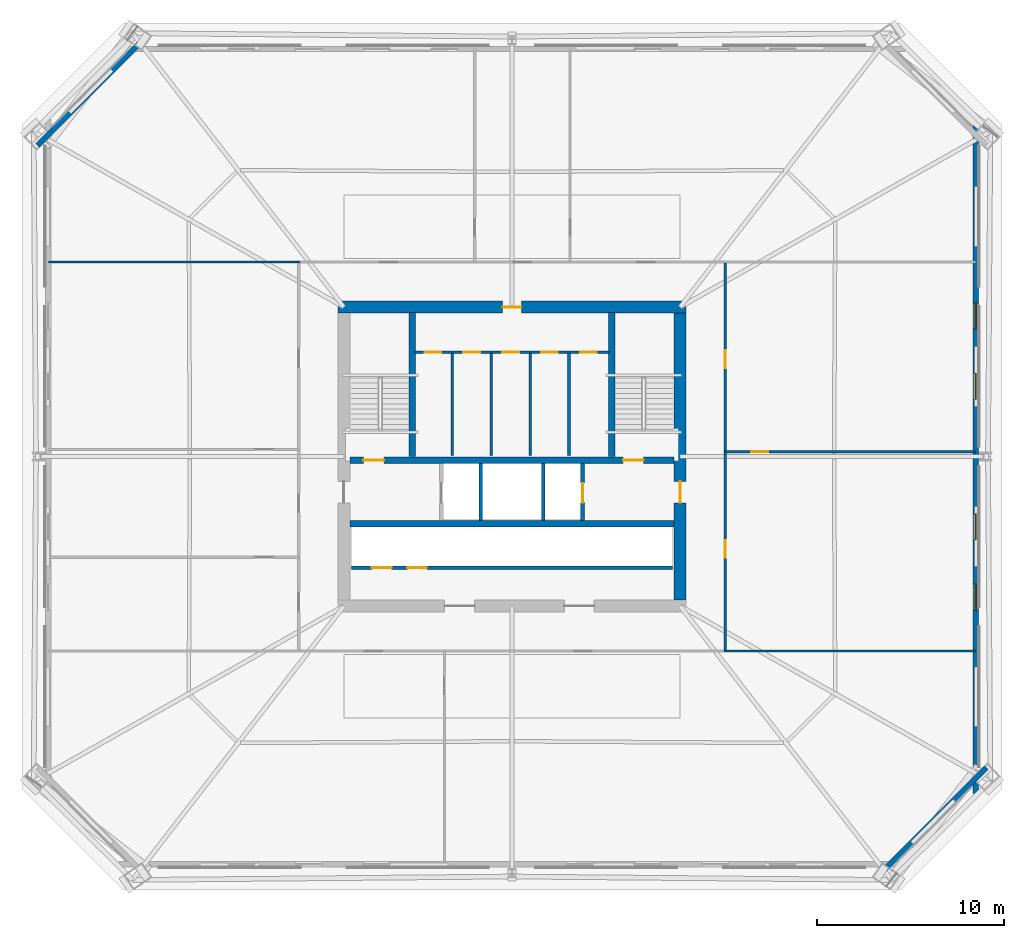
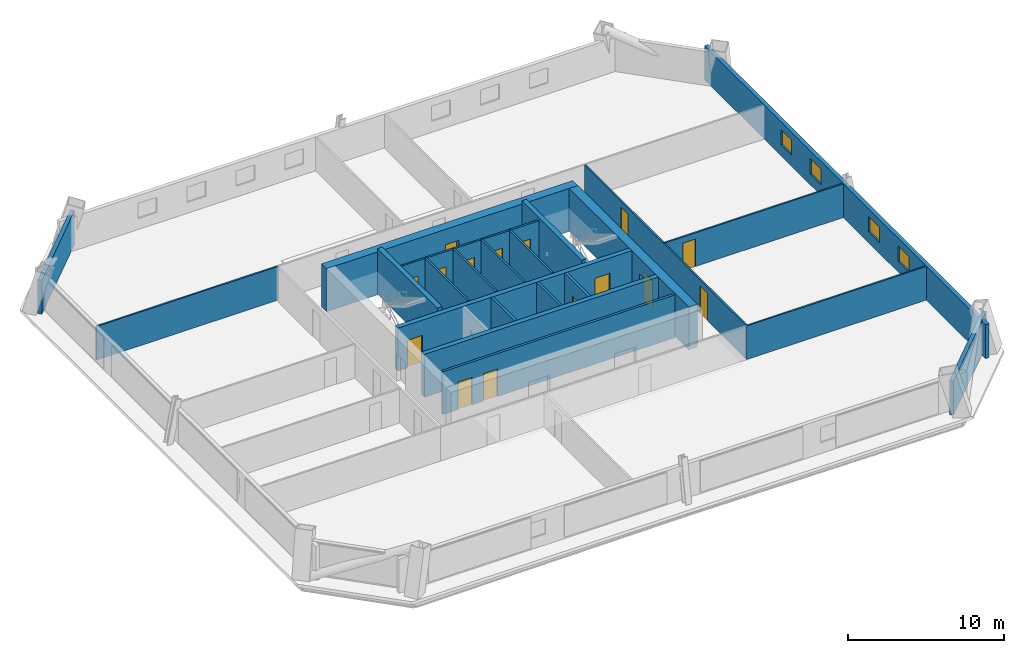
# One storey, part 6 of 10: 22 walls, 15 doors, 4 windows, 19 openings.
"""IFC4 building model written with IfcOpenShell, lengths in metres."""

from ifc_helpers import new_model, si_unit, direction, frame, frame_2d, origin, place, context, subcontext, project, spatial, rectangle, extrude, material, layer, layer_set, type_object, element, fill, save


model = new_model("IFC4")

# Units and contexts
model_context = context("Model", 3, precision=1e-05, world=origin(), true_north=direction((0.0, 1.0)))
body_context = subcontext(model_context, "Body", "Model", "MODEL_VIEW")
ifc_project = project(units=[si_unit("LENGTHUNIT", "METRE"), si_unit("AREAUNIT", "SQUARE_METRE"), si_unit("VOLUMEUNIT", "CUBIC_METRE"), si_unit("PLANEANGLEUNIT", "RADIAN"), si_unit("MASSUNIT", "GRAM", prefix="KILO")], contexts=[model_context])

# Site, building, storey
site_placement = place(None, origin())
site = spatial("IfcSite", under=ifc_project, at=site_placement, CompositionType="ELEMENT")
building_placement = place(site_placement, origin())
building = spatial("IfcBuilding", under=site, at=building_placement, Name="Caelvoria Tower", CompositionType="ELEMENT")
storey_placement = place(building_placement, frame((0.0, 0.0, 78.39990234375)))
storey = spatial("IfcBuildingStorey", under=building, at=storey_placement, Name="L20", CompositionType="ELEMENT", Elevation=78.39990234375)

# Wall, openings, doors
ifc_material_1 = material(Name="Concrete C50/60", Category="concrete")
ifc_layer_1 = layer(ifc_material_1, 0.35009765625, Name="Concrete C50/60")
ifc_layer_set_1 = layer_set([ifc_layer_1], Name="Core Internal Shear Wall 350 - Concrete C50/60")
wall_type_1 = type_object("IfcWallType", Name="Core Internal Shear Wall 350", PredefinedType="SHEAR", material=ifc_layer_set_1)
wall_1_placement = place(storey_placement, frame((37.324951171875, 31.800048828125, 0.0), z_axis=(0.0, 0.0, 1.0), x_axis=(1.0, 0.0, 0.0)))
wall_1 = element("IfcWall", 1, at=wall_1_placement, inside=storey, type_object=wall_type_1, Name="Core Shear Wall L20 M1", PredefinedType="SHEAR", context=body_context, shape_type="SweptSolid", body=[
    extrude(rectangle(XDim=17.35009765625, YDim=0.35009765625, at=frame_2d((8.675048828125, 0.0))), origin(), (0.0, 0.0, 1.0), 3.360107421875),
])
opening_1_placement = place(wall_1_placement, frame((0.72509765625, 0.0, 0.0)))
opening_1 = element("IfcOpeningElement", 2, at=opening_1_placement, cuts=wall_1, Name="Opening ID-01", PredefinedType="OPENING", context=body_context, shape_type="SweptSolid", body=[
    extrude(rectangle(XDim=1.10009765625, YDim=2.14990234375, at=frame_2d((0.550048828125, 1.074951171875))), frame((0.0, 0.18505859375, 0.0), z_axis=(0.0, -1.0, 0.0), x_axis=(1.0, 0.0, 0.0)), (0.0, 0.0, 1.0), 0.3701171875),
])
opening_2_placement = place(wall_1_placement, frame((14.625, 0.0, 0.0)))
opening_2 = element("IfcOpeningElement", 3, at=opening_2_placement, cuts=wall_1, Name="Opening ID-01", PredefinedType="OPENING", context=body_context, shape_type="SweptSolid", body=[
    extrude(rectangle(XDim=1.10009765625, YDim=2.14990234375, at=frame_2d((0.550048828125, 1.074951171875))), frame((0.0, 0.18505859375, 0.0), z_axis=(0.0, -1.0, 0.0), x_axis=(1.0, 0.0, 0.0)), (0.0, 0.0, 1.0), 0.3701171875),
])
ifc_material_2 = material(Name="Painted Hollow Steel Fire Door", Category="steel")
door_type_1 = type_object("IfcDoorType", Name="Fire Door FD90S 1100x2150", OperationType="NOTDEFINED", PredefinedType="DOOR", material=ifc_material_2)
door_1_placement = place(opening_1_placement, origin())
door_1 = element("IfcDoor", 4, at=door_1_placement, inside=storey, type_object=door_type_1, Name="Core Door DR-L20-ST1", OperationType="SINGLE_SWING_LEFT", OverallHeight=2.14990234375, OverallWidth=1.10009765625, PredefinedType="DOOR", context=body_context, shape_type="SweptSolid", body=[
    extrude(rectangle(XDim=1.10009765625, YDim=2.14990234375, at=frame_2d((0.550048828125, 1.074951171875))), frame((0.0, 0.02490234375, 0.0), z_axis=(0.0, -1.0, 0.0), x_axis=(1.0, 0.0, 0.0)), (0.0, 0.0, 1.0), 0.050048828125),
])
fill(opening_1, door_1)
door_2_placement = place(opening_2_placement, origin())
door_2 = element("IfcDoor", 5, at=door_2_placement, inside=storey, type_object=door_type_1, Name="Core Door DR-L20-ST2", OperationType="SINGLE_SWING_RIGHT", OverallHeight=2.14990234375, OverallWidth=1.10009765625, PredefinedType="DOOR", context=body_context, shape_type="SweptSolid", body=[
    extrude(rectangle(XDim=1.10009765625, YDim=2.14990234375, at=frame_2d((0.550048828125, 1.074951171875))), frame((0.0, 0.02490234375, 0.0), z_axis=(0.0, -1.0, 0.0), x_axis=(1.0, 0.0, 0.0)), (0.0, 0.0, 1.0), 0.050048828125),
])
fill(opening_2, door_2)

# Walls
wall_2_placement = place(storey_placement, frame((37.324951171875, 28.39990234375, 0.0), z_axis=(0.0, 0.0, 1.0), x_axis=(1.0, 0.0, 0.0)))
element("IfcWall", 6, at=wall_2_placement, inside=storey, type_object=wall_type_1, Name="Core Shear Wall L20 M2", PredefinedType="SHEAR", context=body_context, shape_type="SweptSolid", body=[
    extrude(rectangle(XDim=17.35009765625, YDim=0.35009765625, at=frame_2d((8.675048828125, 0.0))), origin(), (0.0, 0.0, 1.0), 3.360107421875),
])
for number, where, z_axis, x_axis, name in (
    (7, (40.64990234375, 32.0, 0.0), (0.0, 0.0, 1.0), (0.0, 1.0, 0.0), "Interior Partition IW-L20-ST1E"),
    (8, (51.35009765625, 32.0, 0.0), (0.0, 0.0, 1.0), (0.0, 1.0, 0.0), "Interior Partition IW-L20-ST2W"),
):
    element("IfcWall", number, at=place(storey_placement, frame(where, z_axis=z_axis, x_axis=x_axis)), inside=storey, type_object=wall_type_1, Name=name, PredefinedType="SHEAR", context=body_context, shape_type="SweptSolid", body=[
        extrude(rectangle(XDim=7.699951171875, YDim=0.35009765625, at=frame_2d((3.85009765625, 0.0))), origin(), (0.0, 0.0, 1.0), 3.60009765625),
    ])
ifc_material_3 = material(Name="Moisture-Resistant Gypsum on Steel Stud", Category="steel")
ifc_layer_2 = layer(ifc_material_3, 0.139892578125, Name="Moisture-Resistant Gypsum on Steel Stud")
ifc_layer_set_2 = layer_set([ifc_layer_2], Name="Core Sanitary Acoustic Partition Wall 140 - Moisture-Resistant Gypsum on Steel Stud")
wall_type_2 = type_object("IfcWallType", Name="Core Sanitary Acoustic Partition Wall 140", PredefinedType="PARTITIONING", material=ifc_layer_set_2)
for number, where, z_axis, x_axis, name in (
    (9, (42.81005859375, 32.050048828125, 0.0), (0.0, 0.0, 1.0), (0.0, 1.0, 0.0), "Interior Partition IW-L20-C1V0"),
    (10, (44.889892578125, 32.050048828125, 0.0), (0.0, 0.0, 1.0), (0.0, 1.0, 0.0), "Interior Partition IW-L20-C1V1"),
    (11, (46.969970703125, 32.050048828125, 0.0), (0.0, 0.0, 1.0), (0.0, 1.0, 0.0), "Interior Partition IW-L20-C1V2"),
    (12, (49.050048828125, 32.050048828125, 0.0), (0.0, 0.0, 1.0), (0.0, 1.0, 0.0), "Interior Partition IW-L20-C1V3"),
):
    element("IfcWall", number, at=place(storey_placement, frame(where, z_axis=z_axis, x_axis=x_axis)), inside=storey, type_object=wall_type_2, Name=name, PredefinedType="PARTITIONING", context=body_context, shape_type="SweptSolid", body=[
        extrude(rectangle(XDim=5.5, YDim=0.139892578125, at=frame_2d((2.75, 0.0))), origin(), (0.0, 0.0, 1.0), 3.360107421875),
    ])

# Wall, openings, doors
wall_3_placement = place(storey_placement, frame((40.800048828125, 37.580078125, 0.0), z_axis=(0.0, 0.0, 1.0), x_axis=(1.0, 0.0, 0.0)))
wall_3 = element("IfcWall", 13, at=wall_3_placement, inside=storey, type_object=wall_type_2, Name="Interior Partition IW-L20-C1H", PredefinedType="PARTITIONING", context=body_context, shape_type="SweptSolid", body=[
    extrude(rectangle(XDim=10.39990234375, YDim=0.139892578125, at=frame_2d((5.199951171875, 0.0))), origin(), (0.0, 0.0, 1.0), 3.360107421875),
])
opening_3_placement = place(wall_3_placement, frame((0.52001953125, 0.0, 0.0)))
opening_3 = element("IfcOpeningElement", 14, at=opening_3_placement, cuts=wall_3, Name="Opening ID-06", PredefinedType="OPENING", context=body_context, shape_type="SweptSolid", body=[
    extrude(rectangle(XDim=0.89990234375, YDim=2.14990234375, at=frame_2d((0.449951171875, 1.074951171875))), frame((0.0, 0.079833984375, 0.0), z_axis=(0.0, -1.0, 0.0), x_axis=(1.0, 0.0, 0.0)), (0.0, 0.0, 1.0), 0.159912109375),
])
opening_4_placement = place(wall_3_placement, frame((2.60009765625, 0.0, 0.0)))
opening_4 = element("IfcOpeningElement", 15, at=opening_4_placement, cuts=wall_3, Name="Opening ID-06", PredefinedType="OPENING", context=body_context, shape_type="SweptSolid", body=[
    extrude(rectangle(XDim=0.89990234375, YDim=2.14990234375, at=frame_2d((0.449951171875, 1.074951171875))), frame((0.0, 0.079833984375, 0.0), z_axis=(0.0, -1.0, 0.0), x_axis=(1.0, 0.0, 0.0)), (0.0, 0.0, 1.0), 0.159912109375),
])
opening_5_placement = place(wall_3_placement, frame((4.679931640625, 0.0, 0.0)))
opening_5 = element("IfcOpeningElement", 16, at=opening_5_placement, cuts=wall_3, Name="Opening ID-07", PredefinedType="OPENING", context=body_context, shape_type="SweptSolid", body=[
    extrude(rectangle(XDim=0.919921875, YDim=2.14990234375, at=frame_2d((0.4599609375, 1.074951171875))), frame((0.0, 0.079833984375, 0.0), z_axis=(0.0, -1.0, 0.0), x_axis=(1.0, 0.0, 0.0)), (0.0, 0.0, 1.0), 0.159912109375),
])
opening_6_placement = place(wall_3_placement, frame((6.760009765625, 0.0, 0.0)))
opening_6 = element("IfcOpeningElement", 17, at=opening_6_placement, cuts=wall_3, Name="Opening ID-06", PredefinedType="OPENING", context=body_context, shape_type="SweptSolid", body=[
    extrude(rectangle(XDim=0.89990234375, YDim=2.14990234375, at=frame_2d((0.449951171875, 1.074951171875))), frame((0.0, 0.079833984375, 0.0), z_axis=(0.0, -1.0, 0.0), x_axis=(1.0, 0.0, 0.0)), (0.0, 0.0, 1.0), 0.159912109375),
])
opening_7_placement = place(wall_3_placement, frame((8.840087890625, 0.0, 0.0)))
opening_7 = element("IfcOpeningElement", 18, at=opening_7_placement, cuts=wall_3, Name="Opening ID-06", PredefinedType="OPENING", context=body_context, shape_type="SweptSolid", body=[
    extrude(rectangle(XDim=0.89990234375, YDim=2.14990234375, at=frame_2d((0.449951171875, 1.074951171875))), frame((0.0, 0.079833984375, 0.0), z_axis=(0.0, -1.0, 0.0), x_axis=(1.0, 0.0, 0.0)), (0.0, 0.0, 1.0), 0.159912109375),
])
ifc_material_4 = material(Name="Engineered Andean Oak Accessible Door", Category="wood")
door_type_2 = type_object("IfcDoorType", Name="Accessible WC Door 950x2150", OperationType="NOTDEFINED", PredefinedType="DOOR", material=ifc_material_4)
door_3_placement = place(opening_5_placement, origin())
door_3 = element("IfcDoor", 19, at=door_3_placement, inside=storey, type_object=door_type_2, Name="Interior Door DR-L20-C1-3", OperationType="SINGLE_SWING_LEFT", OverallHeight=2.14990234375, OverallWidth=0.919921875, PredefinedType="DOOR", context=body_context, shape_type="SweptSolid", body=[
    extrude(rectangle(XDim=0.919921875, YDim=2.14990234375, at=frame_2d((0.4599609375, 1.074951171875))), frame((0.0, 0.02490234375, 0.0), z_axis=(0.0, -1.0, 0.0), x_axis=(1.0, 0.0, 0.0)), (0.0, 0.0, 1.0), 0.050048828125),
])
fill(opening_5, door_3)
ifc_material_5 = material(Name="Engineered Andean Oak Veneer Door", Category="wood")
door_type_3 = type_object("IfcDoorType", Name="Interior Timber Door 900x2150", OperationType="NOTDEFINED", PredefinedType="DOOR", material=ifc_material_5)
door_4_placement = place(opening_3_placement, origin())
door_4 = element("IfcDoor", 20, at=door_4_placement, inside=storey, type_object=door_type_3, Name="Interior Door DR-L20-C1-1", OperationType="SINGLE_SWING_LEFT", OverallHeight=2.14990234375, OverallWidth=0.89990234375, PredefinedType="DOOR", context=body_context, shape_type="SweptSolid", body=[
    extrude(rectangle(XDim=0.89990234375, YDim=2.14990234375, at=frame_2d((0.449951171875, 1.074951171875))), frame((0.0, 0.02490234375, 0.0), z_axis=(0.0, -1.0, 0.0), x_axis=(1.0, 0.0, 0.0)), (0.0, 0.0, 1.0), 0.050048828125),
])
fill(opening_3, door_4)
door_5_placement = place(opening_4_placement, origin())
door_5 = element("IfcDoor", 21, at=door_5_placement, inside=storey, type_object=door_type_3, Name="Interior Door DR-L20-C1-2", OperationType="SINGLE_SWING_RIGHT", OverallHeight=2.14990234375, OverallWidth=0.89990234375, PredefinedType="DOOR", context=body_context, shape_type="SweptSolid", body=[
    extrude(rectangle(XDim=0.89990234375, YDim=2.14990234375, at=frame_2d((0.449951171875, 1.074951171875))), frame((0.0, 0.02490234375, 0.0), z_axis=(0.0, -1.0, 0.0), x_axis=(1.0, 0.0, 0.0)), (0.0, 0.0, 1.0), 0.050048828125),
])
fill(opening_4, door_5)
door_6_placement = place(opening_6_placement, origin())
door_6 = element("IfcDoor", 22, at=door_6_placement, inside=storey, type_object=door_type_3, Name="Interior Door DR-L20-C1-4", OperationType="SINGLE_SWING_RIGHT", OverallHeight=2.14990234375, OverallWidth=0.89990234375, PredefinedType="DOOR", context=body_context, shape_type="SweptSolid", body=[
    extrude(rectangle(XDim=0.89990234375, YDim=2.14990234375, at=frame_2d((0.449951171875, 1.074951171875))), frame((0.0, 0.02490234375, 0.0), z_axis=(0.0, -1.0, 0.0), x_axis=(1.0, 0.0, 0.0)), (0.0, 0.0, 1.0), 0.050048828125),
])
fill(opening_6, door_6)
door_7_placement = place(opening_7_placement, origin())
door_7 = element("IfcDoor", 23, at=door_7_placement, inside=storey, type_object=door_type_3, Name="Interior Door DR-L20-C1-5", OperationType="SINGLE_SWING_LEFT", OverallHeight=2.14990234375, OverallWidth=0.89990234375, PredefinedType="DOOR", context=body_context, shape_type="SweptSolid", body=[
    extrude(rectangle(XDim=0.89990234375, YDim=2.14990234375, at=frame_2d((0.449951171875, 1.074951171875))), frame((0.0, 0.02490234375, 0.0), z_axis=(0.0, -1.0, 0.0), x_axis=(1.0, 0.0, 0.0)), (0.0, 0.0, 1.0), 0.050048828125),
])
fill(opening_7, door_7)

# Wall
ifc_material_6 = material(Name="Precast Concrete C40/50 with Bronze Cladding", Category="concrete")
ifc_layer_3 = layer(ifc_material_6, 0.280029296875, Name="Precast Concrete C40/50 with Bronze Cladding")
ifc_layer_set_3 = layer_set([ifc_layer_3], Name="Exterior Precast Concrete C40/50 Bronze-Clad Facade Wall 280 - Precast Concrete C40/50 with Bronze Cladding")
wall_type_3 = type_object("IfcWallType", Name="Exterior Precast Concrete C40/50 Bronze-Clad Facade Wall 280", PredefinedType="STANDARD", material=ifc_layer_set_3)
wall_4_placement = place(storey_placement, frame((65.654541015625, 9.606201171875, 0.0), z_axis=(0.0, 0.0, 1.0), x_axis=(0.707106781187, 0.707106781187, 0.0)))
element("IfcWall", 24, at=wall_4_placement, inside=storey, type_object=wall_type_3, Name="Exterior Facade Wall L20-E1", PredefinedType="STANDARD", context=body_context, shape_type="SweptSolid", body=[
    extrude(rectangle(XDim=8.116455078125, YDim=0.280029296875, at=frame_2d((4.05810546875, 0.0))), origin(), (0.0, 0.0, 1.0), 2.662109375),
])

# Wall, openings, windows
wall_5_placement = place(storey_placement, frame((70.820068359375, 13.9599609375, 0.0), z_axis=(0.0, 0.0, 1.0), x_axis=(0.0, 1.0, 0.0)))
wall_5 = element("IfcWall", 25, at=wall_5_placement, inside=storey, type_object=wall_type_3, Name="Exterior Facade Wall L20-E2", PredefinedType="STANDARD", context=body_context, shape_type="SweptSolid", body=[
    extrude(rectangle(XDim=36.080078125, YDim=0.280029296875, at=frame_2d((18.0400390625, 0.0))), origin(), (0.0, 0.0, 1.0), 2.662109375),
])
opening_8_placement = place(wall_5_placement, frame((9.81103515625, 0.0, 0.85009765625)))
opening_8 = element("IfcOpeningElement", 26, at=opening_8_placement, cuts=wall_5, Name="Opening WN-06", PredefinedType="OPENING", context=body_context, shape_type="SweptSolid", body=[
    extrude(rectangle(XDim=1.39990234375, YDim=1.199951171875, at=frame_2d((0.699951171875, 0.60009765625))), frame((0.0, 0.14990234375, 0.0), z_axis=(0.0, -1.0, 0.0), x_axis=(1.0, 0.0, 0.0)), (0.0, 0.0, 1.0), 0.300048828125),
])
opening_9_placement = place(wall_5_placement, frame((13.57568359375, 0.0, 0.85009765625)))
opening_9 = element("IfcOpeningElement", 27, at=opening_9_placement, cuts=wall_5, Name="Opening WN-06", PredefinedType="OPENING", context=body_context, shape_type="SweptSolid", body=[
    extrude(rectangle(XDim=1.39990234375, YDim=1.199951171875, at=frame_2d((0.699951171875, 0.60009765625))), frame((0.0, 0.14990234375, 0.0), z_axis=(0.0, -1.0, 0.0), x_axis=(1.0, 0.0, 0.0)), (0.0, 0.0, 1.0), 0.300048828125),
])
opening_10_placement = place(wall_5_placement, frame((21.1044921875, 0.0, 0.85009765625)))
opening_10 = element("IfcOpeningElement", 28, at=opening_10_placement, cuts=wall_5, Name="Opening WN-06", PredefinedType="OPENING", context=body_context, shape_type="SweptSolid", body=[
    extrude(rectangle(XDim=1.39990234375, YDim=1.199951171875, at=frame_2d((0.699951171875, 0.60009765625))), frame((0.0, 0.14990234375, 0.0), z_axis=(0.0, -1.0, 0.0), x_axis=(1.0, 0.0, 0.0)), (0.0, 0.0, 1.0), 0.300048828125),
])
opening_11_placement = place(wall_5_placement, frame((24.868896484375, 0.0, 0.85009765625)))
opening_11 = element("IfcOpeningElement", 29, at=opening_11_placement, cuts=wall_5, Name="Opening WN-06", PredefinedType="OPENING", context=body_context, shape_type="SweptSolid", body=[
    extrude(rectangle(XDim=1.39990234375, YDim=1.199951171875, at=frame_2d((0.699951171875, 0.60009765625))), frame((0.0, 0.14990234375, 0.0), z_axis=(0.0, -1.0, 0.0), x_axis=(1.0, 0.0, 0.0)), (0.0, 0.0, 1.0), 0.300048828125),
])
ifc_material_7 = material(Name="Low-E Tinted Glass in Bronze Aluminium Frame", Category="aluminium")
window_type = type_object("IfcWindowType", Name="Podium Clerestory Window 1400x1200", PartitioningType="SINGLE_PANEL", PredefinedType="WINDOW", material=ifc_material_7)
window_1_placement = place(opening_8_placement, origin())
window_1 = element("IfcWindow", 30, at=window_1_placement, inside=storey, type_object=window_type, Name="Facade Window L20-E2-02", OverallHeight=1.199951171875, OverallWidth=1.39990234375, PartitioningType="SINGLE_PANEL", PredefinedType="WINDOW", context=body_context, shape_type="SweptSolid", body=[
    extrude(rectangle(XDim=1.39990234375, YDim=1.199951171875, at=frame_2d((0.699951171875, 0.60009765625))), frame((0.0, 0.030029296875, 0.0), z_axis=(0.0, -1.0, 0.0), x_axis=(1.0, 0.0, 0.0)), (0.0, 0.0, 1.0), 0.06005859375),
])
fill(opening_8, window_1)
window_2_placement = place(opening_9_placement, origin())
window_2 = element("IfcWindow", 31, at=window_2_placement, inside=storey, type_object=window_type, Name="Facade Window L20-E2-03", OverallHeight=1.199951171875, OverallWidth=1.39990234375, PartitioningType="SINGLE_PANEL", PredefinedType="WINDOW", context=body_context, shape_type="SweptSolid", body=[
    extrude(rectangle(XDim=1.39990234375, YDim=1.199951171875, at=frame_2d((0.699951171875, 0.60009765625))), frame((0.0, 0.030029296875, 0.0), z_axis=(0.0, -1.0, 0.0), x_axis=(1.0, 0.0, 0.0)), (0.0, 0.0, 1.0), 0.06005859375),
])
fill(opening_9, window_2)
window_3_placement = place(opening_10_placement, origin())
window_3 = element("IfcWindow", 32, at=window_3_placement, inside=storey, type_object=window_type, Name="Facade Window L20-E2-05", OverallHeight=1.199951171875, OverallWidth=1.39990234375, PartitioningType="SINGLE_PANEL", PredefinedType="WINDOW", context=body_context, shape_type="SweptSolid", body=[
    extrude(rectangle(XDim=1.39990234375, YDim=1.199951171875, at=frame_2d((0.699951171875, 0.60009765625))), frame((0.0, 0.030029296875, 0.0), z_axis=(0.0, -1.0, 0.0), x_axis=(1.0, 0.0, 0.0)), (0.0, 0.0, 1.0), 0.06005859375),
])
fill(opening_10, window_3)
window_4_placement = place(opening_11_placement, origin())
window_4 = element("IfcWindow", 33, at=window_4_placement, inside=storey, type_object=window_type, Name="Facade Window L20-E2-06", OverallHeight=1.199951171875, OverallWidth=1.39990234375, PartitioningType="SINGLE_PANEL", PredefinedType="WINDOW", context=body_context, shape_type="SweptSolid", body=[
    extrude(rectangle(XDim=1.39990234375, YDim=1.199951171875, at=frame_2d((0.699951171875, 0.60009765625))), frame((0.0, 0.030029296875, 0.0), z_axis=(0.0, -1.0, 0.0), x_axis=(1.0, 0.0, 0.0)), (0.0, 0.0, 1.0), 0.06005859375),
])
fill(opening_11, window_4)

# Walls
wall_6_placement = place(storey_placement, frame((26.345458984375, 54.393798828125, 0.0), z_axis=(0.0, 0.0, 1.0), x_axis=(-0.707106781187, -0.707106781187, 0.0)))
element("IfcWall", 34, at=wall_6_placement, inside=storey, type_object=wall_type_3, Name="Exterior Facade Wall L20-E5", PredefinedType="STANDARD", context=body_context, shape_type="SweptSolid", body=[
    extrude(rectangle(XDim=8.116455078125, YDim=0.280029296875, at=frame_2d((4.05810546875, 0.0))), origin(), (0.0, 0.0, 1.0), 2.662109375),
])
ifc_material_8 = material(Name="Concrete Block and Fireboard Assembly", Category="concrete")
ifc_layer_4 = layer(ifc_material_8, 0.179931640625, Name="Concrete Block and Fireboard Assembly")
ifc_layer_set_4 = layer_set([ifc_layer_4], Name="Fire-Rated Hoistway Partition Wall 180 - Concrete Block and Fireboard Assembly")
wall_type_4 = type_object("IfcWallType", Name="Fire-Rated Hoistway Partition Wall 180", PredefinedType="PARTITIONING", material=ifc_layer_set_4)
for number, where, z_axis, x_axis, name in (
    (35, (44.320068359375, 28.580078125, 0.0), (0.0, 0.0, 1.0), (0.0, 1.0, 0.0), "Interior Partition IW-L20-SV1W"),
    (36, (47.679931640625, 28.580078125, 0.0), (0.0, 0.0, 1.0), (0.0, 1.0, 0.0), "Interior Partition IW-L20-SV1E"),
):
    element("IfcWall", number, at=place(storey_placement, frame(where, z_axis=z_axis, x_axis=x_axis)), inside=storey, type_object=wall_type_4, Name=name, PredefinedType="PARTITIONING", context=body_context, shape_type="SweptSolid", body=[
        extrude(rectangle(XDim=3.0400390625, YDim=0.179931640625, at=frame_2d((1.52001953125, 0.0))), origin(), (0.0, 0.0, 1.0), 3.360107421875),
    ])

# Wall, openings, doors
wall_7_placement = place(storey_placement, frame((37.39990234375, 26.050048828125, 0.0), z_axis=(0.0, 0.0, 1.0), x_axis=(1.0, 0.0, 0.0)))
wall_7 = element("IfcWall", 37, at=wall_7_placement, inside=storey, type_object=wall_type_4, Name="Interior Partition IW-L20-LFRONT", PredefinedType="PARTITIONING", context=body_context, shape_type="SweptSolid", body=[
    extrude(rectangle(XDim=17.2001953125, YDim=0.179931640625, at=frame_2d((8.60009765625, 0.0))), origin(), (0.0, 0.0, 1.0), 3.360107421875),
])
opening_12_placement = place(wall_7_placement, frame((1.10009765625, 0.0, 0.0)))
opening_12 = element("IfcOpeningElement", 38, at=opening_12_placement, cuts=wall_7, Name="Opening LD-01", PredefinedType="OPENING", context=body_context, shape_type="SweptSolid", body=[
    extrude(rectangle(XDim=1.050048828125, YDim=2.14990234375, at=frame_2d((0.52490234375, 1.074951171875))), frame((0.0, 0.099853515625, 0.0), z_axis=(0.0, -1.0, 0.0), x_axis=(1.0, 0.0, 0.0)), (0.0, 0.0, 1.0), 0.199951171875),
])
opening_13_placement = place(wall_7_placement, frame((3.0, 0.0, 0.0)))
opening_13 = element("IfcOpeningElement", 39, at=opening_13_placement, cuts=wall_7, Name="Opening LD-01", PredefinedType="OPENING", context=body_context, shape_type="SweptSolid", body=[
    extrude(rectangle(XDim=1.050048828125, YDim=2.14990234375, at=frame_2d((0.52490234375, 1.074951171875))), frame((0.0, 0.099853515625, 0.0), z_axis=(0.0, -1.0, 0.0), x_axis=(1.0, 0.0, 0.0)), (0.0, 0.0, 1.0), 0.199951171875),
])
ifc_material_9 = material(Name="Brushed Bronze Stainless Sliding Landing Door", Category="aluminium")
door_type_4 = type_object("IfcDoorType", Name="Lift Landing Sliding Door 1100x2150", OperationType="NOTDEFINED", PredefinedType="DOOR", material=ifc_material_9)
door_8_placement = place(opening_12_placement, origin())
door_8 = element("IfcDoor", 40, at=door_8_placement, inside=storey, type_object=door_type_4, Name="Interior Door LD-L20-PL1", OperationType="SLIDING_TO_LEFT", OverallHeight=2.14990234375, OverallWidth=1.050048828125, PredefinedType="DOOR", context=body_context, shape_type="SweptSolid", body=[
    extrude(rectangle(XDim=1.050048828125, YDim=2.14990234375, at=frame_2d((0.52490234375, 1.074951171875))), frame((0.0, 0.02490234375, 0.0), z_axis=(0.0, -1.0, 0.0), x_axis=(1.0, 0.0, 0.0)), (0.0, 0.0, 1.0), 0.050048828125),
])
fill(opening_12, door_8)
door_9_placement = place(opening_13_placement, origin())
door_9 = element("IfcDoor", 41, at=door_9_placement, inside=storey, type_object=door_type_4, Name="Interior Door LD-L20-PL2", OperationType="SLIDING_TO_RIGHT", OverallHeight=2.14990234375, OverallWidth=1.050048828125, PredefinedType="DOOR", context=body_context, shape_type="SweptSolid", body=[
    extrude(rectangle(XDim=1.050048828125, YDim=2.14990234375, at=frame_2d((0.52490234375, 1.074951171875))), frame((0.0, 0.02490234375, 0.0), z_axis=(0.0, -1.0, 0.0), x_axis=(1.0, 0.0, 0.0)), (0.0, 0.0, 1.0), 0.050048828125),
])
fill(opening_13, door_9)

# Wall, opening, door
ifc_layer_5 = layer(ifc_material_8, 0.199951171875, Name="Concrete Block and Fireboard Assembly")
ifc_layer_set_5 = layer_set([ifc_layer_5], Name="Fire-Rated Shaft and Core Partition Wall 200 - Concrete Block and Fireboard Assembly")
wall_type_5 = type_object("IfcWallType", Name="Fire-Rated Shaft and Core Partition Wall 200", PredefinedType="PARTITIONING", material=ifc_layer_set_5)
wall_8_placement = place(storey_placement, frame((49.780029296875, 28.580078125, 0.0), z_axis=(0.0, 0.0, 1.0), x_axis=(0.0, 1.0, 0.0)))
wall_8 = element("IfcWall", 42, at=wall_8_placement, inside=storey, type_object=wall_type_5, Name="Interior Partition IW-L20-LF2E", PredefinedType="PARTITIONING", context=body_context, shape_type="SweptSolid", body=[
    extrude(rectangle(XDim=3.0400390625, YDim=0.199951171875, at=frame_2d((1.52001953125, 0.0))), origin(), (0.0, 0.0, 1.0), 3.360107421875),
])
opening_14_placement = place(wall_8_placement, frame((0.949951171875, 0.0, 0.0)))
opening_14 = element("IfcOpeningElement", 43, at=opening_14_placement, cuts=wall_8, Name="Opening LD-01", PredefinedType="OPENING", context=body_context, shape_type="SweptSolid", body=[
    extrude(rectangle(XDim=1.050048828125, YDim=2.14990234375, at=frame_2d((0.52490234375, 1.074951171875))), frame((0.0, 0.10986328125, 0.0), z_axis=(0.0, -1.0, 0.0), x_axis=(1.0, 0.0, 0.0)), (0.0, 0.0, 1.0), 0.219970703125),
])
door_10_placement = place(opening_14_placement, origin())
door_10 = element("IfcDoor", 44, at=door_10_placement, inside=storey, type_object=door_type_4, Name="Interior Door LD-L20-LF2", OperationType="SLIDING_TO_RIGHT", OverallHeight=2.14990234375, OverallWidth=1.050048828125, PredefinedType="DOOR", context=body_context, shape_type="SweptSolid", body=[
    extrude(rectangle(XDim=1.050048828125, YDim=2.14990234375, at=frame_2d((0.52490234375, 1.074951171875))), frame((0.0, 0.02490234375, 0.0), z_axis=(0.0, -1.0, 0.0), x_axis=(1.0, 0.0, 0.0)), (0.0, 0.0, 1.0), 0.050048828125),
])
fill(opening_14, door_10)

ifc_material_10 = material(Name="Concrete C60/75", Category="concrete")
ifc_layer_6 = layer(ifc_material_10, 0.64990234375, Name="Concrete C60/75")
ifc_layer_set_6 = layer_set([ifc_layer_6], Name="Lower Core Shear Wall 650 - Concrete C60/75")
wall_type_6 = type_object("IfcWallType", Name="Lower Core Shear Wall 650", PredefinedType="SHEAR", material=ifc_layer_set_6)
wall_9_placement = place(storey_placement, frame((36.675048828125, 40.0, 0.0), z_axis=(0.0, 0.0, 1.0), x_axis=(1.0, 0.0, 0.0)))
wall_9 = element("IfcWall", 45, at=wall_9_placement, inside=storey, type_object=wall_type_6, Name="Core Shear Wall L20 N", PredefinedType="SHEAR", context=body_context, shape_type="SweptSolid", body=[
    extrude(rectangle(XDim=18.64990234375, YDim=0.64990234375, at=frame_2d((9.324951171875, 0.0))), origin(), (0.0, 0.0, 1.0), 3.360107421875),
])
opening_15_placement = place(wall_9_placement, frame((8.824951171875, 0.0, 0.0)))
opening_15 = element("IfcOpeningElement", 46, at=opening_15_placement, cuts=wall_9, Name="Opening ID-03", PredefinedType="OPENING", context=body_context, shape_type="SweptSolid", body=[
    extrude(rectangle(XDim=1.0, YDim=2.14990234375, at=frame_2d((0.5, 1.074951171875))), frame((0.0, 0.3349609375, 0.0), z_axis=(0.0, -1.0, 0.0), x_axis=(1.0, 0.0, 0.0)), (0.0, 0.0, 1.0), 0.669921875),
])
door_type_5 = type_object("IfcDoorType", Name="Fire Door FD60S 1000x2150", OperationType="NOTDEFINED", PredefinedType="DOOR", material=ifc_material_2)
door_11_placement = place(opening_15_placement, origin())
door_11 = element("IfcDoor", 47, at=door_11_placement, inside=storey, type_object=door_type_5, Name="Core Door DR-L20-WC-MAIN", OperationType="SINGLE_SWING_RIGHT", OverallHeight=2.14990234375, OverallWidth=1.0, PredefinedType="DOOR", context=body_context, shape_type="SweptSolid", body=[
    extrude(rectangle(XDim=1.0, YDim=2.14990234375, at=frame_2d((0.5, 1.074951171875))), frame((0.0, 0.02490234375, 0.0), z_axis=(0.0, -1.0, 0.0), x_axis=(1.0, 0.0, 0.0)), (0.0, 0.0, 1.0), 0.050048828125),
])
fill(opening_15, door_11)

wall_10_placement = place(storey_placement, frame((55.0, 24.324951171875, 0.0), z_axis=(0.0, 0.0, 1.0), x_axis=(0.0, 1.0, 0.0)))
wall_10 = element("IfcWall", 48, at=wall_10_placement, inside=storey, type_object=wall_type_6, Name="Core Shear Wall L20 E", PredefinedType="SHEAR", context=body_context, shape_type="SweptSolid", body=[
    extrude(rectangle(XDim=15.35009765625, YDim=0.64990234375, at=frame_2d((7.675048828125, 0.0))), origin(), (0.0, 0.0, 1.0), 3.360107421875),
])
opening_16_placement = place(wall_10_placement, frame((5.199951171875, 0.0, 0.0)))
opening_16 = element("IfcOpeningElement", 49, at=opening_16_placement, cuts=wall_10, Name="Opening ID-02", PredefinedType="OPENING", context=body_context, shape_type="SweptSolid", body=[
    extrude(rectangle(XDim=1.14990234375, YDim=2.14990234375, at=frame_2d((0.574951171875, 1.074951171875))), frame((0.0, 0.3349609375, 0.0), z_axis=(0.0, -1.0, 0.0), x_axis=(1.0, 0.0, 0.0)), (0.0, 0.0, 1.0), 0.669921875),
])
door_type_6 = type_object("IfcDoorType", Name="Fire Door FD60S 1150x2150", OperationType="NOTDEFINED", PredefinedType="DOOR", material=ifc_material_2)
door_12_placement = place(opening_16_placement, origin())
door_12 = element("IfcDoor", 50, at=door_12_placement, inside=storey, type_object=door_type_6, Name="Core Door DR-L20-FFLE-OUT", OperationType="SINGLE_SWING_RIGHT", OverallHeight=2.14990234375, OverallWidth=1.14990234375, PredefinedType="DOOR", context=body_context, shape_type="SweptSolid", body=[
    extrude(rectangle(XDim=1.14990234375, YDim=2.14990234375, at=frame_2d((0.574951171875, 1.074951171875))), frame((0.0, 0.02490234375, 0.0), z_axis=(0.0, -1.0, 0.0), x_axis=(1.0, 0.0, 0.0)), (0.0, 0.0, 1.0), 0.050048828125),
])
fill(opening_16, door_12)

ifc_material_11 = material(Name="Acoustic Gypsum Board on Light-Gauge Stud", Category="gypsum")
ifc_layer_7 = layer(ifc_material_11, 0.1201171875, Name="Acoustic Gypsum Board on Light-Gauge Stud")
ifc_layer_set_7 = layer_set([ifc_layer_7], Name="Tenant Suite Acoustic Partition Wall 120 - Acoustic Gypsum Board on Light-Gauge Stud")
wall_type_7 = type_object("IfcWallType", Name="Tenant Suite Acoustic Partition Wall 120", PredefinedType="PARTITIONING", material=ifc_layer_set_7)
wall_11_placement = place(storey_placement, frame((57.409912109375, 32.26171875, 0.0), z_axis=(0.0, 0.0, 1.0), x_axis=(1.0, 0.0, 0.0)))
wall_11 = element("IfcWall", 51, at=wall_11_placement, inside=storey, type_object=wall_type_7, Name="Interior Partition IW-L20-ED-00-0", PredefinedType="PARTITIONING", context=body_context, shape_type="SweptSolid", body=[
    extrude(rectangle(XDim=13.41015625, YDim=0.1201171875, at=frame_2d((6.705078125, 0.0))), origin(), (0.0, 0.0, 1.0), 2.64013671875),
])
opening_17_placement = place(wall_11_placement, frame((1.39990234375, 0.0, 0.0)))
opening_17 = element("IfcOpeningElement", 52, at=opening_17_placement, cuts=wall_11, Name="Opening ID-06", PredefinedType="OPENING", context=body_context, shape_type="SweptSolid", body=[
    extrude(rectangle(XDim=0.89990234375, YDim=2.14990234375, at=frame_2d((0.449951171875, 1.074951171875))), frame((0.0, 0.070068359375, 0.0), z_axis=(0.0, -1.0, 0.0), x_axis=(1.0, 0.0, 0.0)), (0.0, 0.0, 1.0), 0.14013671875),
])
door_13_placement = place(opening_17_placement, origin())
door_13 = element("IfcDoor", 53, at=door_13_placement, inside=storey, type_object=door_type_3, Name="Interior Door DR-L20-EM-00-0", OperationType="SINGLE_SWING_RIGHT", OverallHeight=2.14990234375, OverallWidth=0.89990234375, PredefinedType="DOOR", context=body_context, shape_type="SweptSolid", body=[
    extrude(rectangle(XDim=0.89990234375, YDim=2.14990234375, at=frame_2d((0.449951171875, 1.074951171875))), frame((0.0, 0.02490234375, 0.0), z_axis=(0.0, -1.0, 0.0), x_axis=(1.0, 0.0, 0.0)), (0.0, 0.0, 1.0), 0.050048828125),
])
fill(opening_17, door_13)

# Wall, openings, doors
wall_12_placement = place(storey_placement, frame((57.409912109375, 21.64990234375, 0.0), z_axis=(0.0, 0.0, 1.0), x_axis=(0.0, 1.0, 0.0)))
wall_12 = element("IfcWall", 54, at=wall_12_placement, inside=storey, type_object=wall_type_7, Name="Interior Partition IW-L20-ECW-0", PredefinedType="PARTITIONING", context=body_context, shape_type="SweptSolid", body=[
    extrude(rectangle(XDim=20.7001953125, YDim=0.1201171875, at=frame_2d((10.35009765625, 0.0))), origin(), (0.0, 0.0, 1.0), 2.64013671875),
])
opening_18_placement = place(wall_12_placement, frame((4.930908203125, 0.0, 0.0)))
opening_18 = element("IfcOpeningElement", 55, at=opening_18_placement, cuts=wall_12, Name="Opening ID-05", PredefinedType="OPENING", context=body_context, shape_type="SweptSolid", body=[
    extrude(rectangle(XDim=0.949951171875, YDim=2.14990234375, at=frame_2d((0.47509765625, 1.074951171875))), frame((0.0, 0.070068359375, 0.0), z_axis=(0.0, -1.0, 0.0), x_axis=(1.0, 0.0, 0.0)), (0.0, 0.0, 1.0), 0.14013671875),
])
opening_19_placement = place(wall_12_placement, frame((15.080810546875, 0.0, 0.0)))
opening_19 = element("IfcOpeningElement", 56, at=opening_19_placement, cuts=wall_12, Name="Opening ID-05", PredefinedType="OPENING", context=body_context, shape_type="SweptSolid", body=[
    extrude(rectangle(XDim=0.949951171875, YDim=2.14990234375, at=frame_2d((0.47509765625, 1.074951171875))), frame((0.0, 0.070068359375, 0.0), z_axis=(0.0, -1.0, 0.0), x_axis=(1.0, 0.0, 0.0)), (0.0, 0.0, 1.0), 0.14013671875),
])
door_type_7 = type_object("IfcDoorType", Name="Interior Timber Door 950x2150", OperationType="NOTDEFINED", PredefinedType="DOOR", material=ifc_material_5)
door_14_placement = place(opening_18_placement, origin())
door_14 = element("IfcDoor", 57, at=door_14_placement, inside=storey, type_object=door_type_7, Name="Interior Door DR-L20-EC-00-0", OperationType="SINGLE_SWING_LEFT", OverallHeight=2.14990234375, OverallWidth=0.949951171875, PredefinedType="DOOR", context=body_context, shape_type="SweptSolid", body=[
    extrude(rectangle(XDim=0.949951171875, YDim=2.14990234375, at=frame_2d((0.47509765625, 1.074951171875))), frame((0.0, 0.02490234375, 0.0), z_axis=(0.0, -1.0, 0.0), x_axis=(1.0, 0.0, 0.0)), (0.0, 0.0, 1.0), 0.050048828125),
])
fill(opening_18, door_14)
door_15_placement = place(opening_19_placement, origin())
door_15 = element("IfcDoor", 58, at=door_15_placement, inside=storey, type_object=door_type_7, Name="Interior Door DR-L20-EC-01-0", OperationType="SINGLE_SWING_RIGHT", OverallHeight=2.14990234375, OverallWidth=0.949951171875, PredefinedType="DOOR", context=body_context, shape_type="SweptSolid", body=[
    extrude(rectangle(XDim=0.949951171875, YDim=2.14990234375, at=frame_2d((0.47509765625, 1.074951171875))), frame((0.0, 0.02490234375, 0.0), z_axis=(0.0, -1.0, 0.0), x_axis=(1.0, 0.0, 0.0)), (0.0, 0.0, 1.0), 0.050048828125),
])
fill(opening_19, door_15)

# Walls
for number, where, z_axis, x_axis, name in (
    (59, (57.35009765625, 21.590087890625, 0.0), (0.0, 0.0, 1.0), (1.0, 0.0, 0.0), "Interior Partition IW-L20-BSE-0"),
    (60, (34.64990234375, 42.409912109375, 0.0), (0.0, 0.0, 1.0), (-1.0, 0.0, 0.0), "Interior Partition IW-L20-BNW-0"),
):
    element("IfcWall", number, at=place(storey_placement, frame(where, z_axis=z_axis, x_axis=x_axis)), inside=storey, type_object=wall_type_7, Name=name, PredefinedType="PARTITIONING", context=body_context, shape_type="SweptSolid", body=[
        extrude(rectangle(XDim=13.469970703125, YDim=0.1201171875, at=frame_2d((6.73486328125, 0.0))), origin(), (0.0, 0.0, 1.0), 2.64013671875),
    ])

save(model, "model.ifc")
